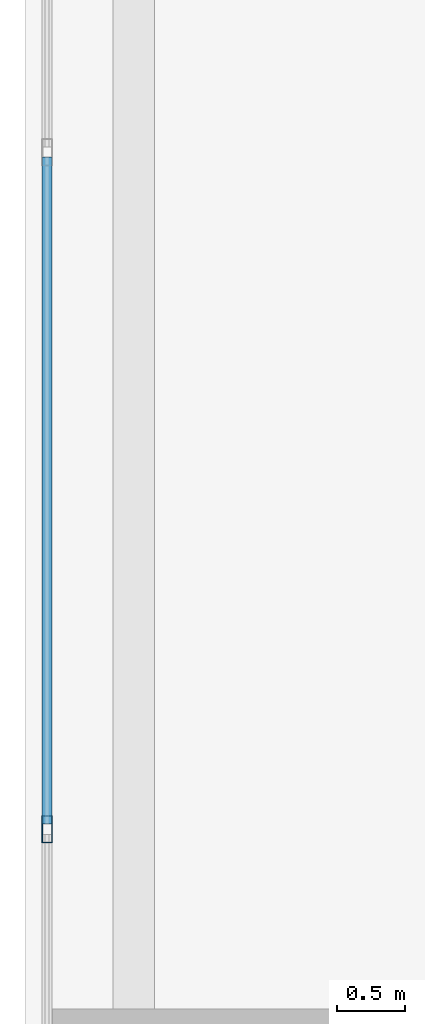
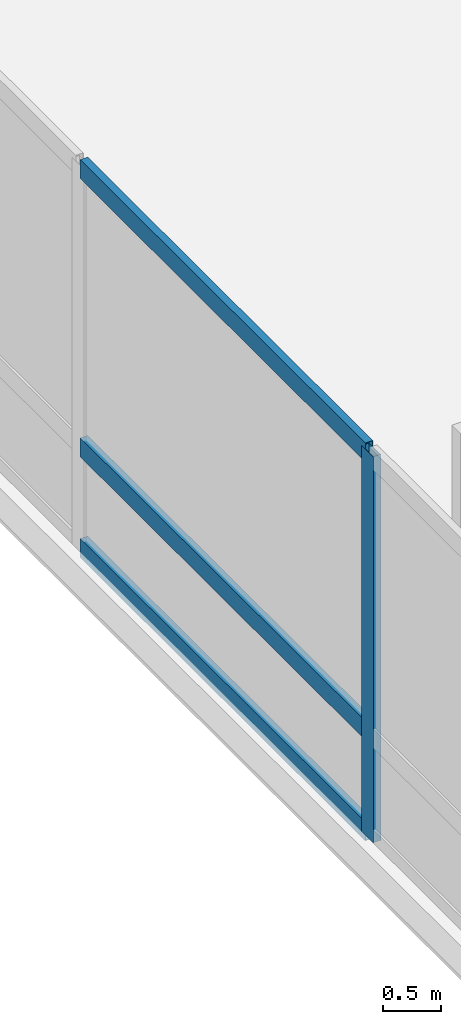
# One storey, part 4 of 26: 4 members, 1 element without a shape of its own.
"""IFC4 building model written with IfcOpenShell, lengths in metres."""

from ifc_helpers import new_model, si_unit, direction, frame, origin, origin_2d, place, context, subcontext, project, spatial, hollow_rectangle, extrude, material, layer, layer_set, material_profile, profile_set, type_object, element, aggregate, save


model = new_model("IFC4")

# Units and contexts
model_context = context("Model", 3, precision=1e-05, world=origin(), true_north=direction((0.0, 1.0)))
body_context = subcontext(model_context, "Body", "Model", "MODEL_VIEW")
ifc_project = project(units=[si_unit("LENGTHUNIT", "METRE"), si_unit("AREAUNIT", "SQUARE_METRE"), si_unit("VOLUMEUNIT", "CUBIC_METRE"), si_unit("PLANEANGLEUNIT", "RADIAN"), si_unit("MASSUNIT", "GRAM", prefix="KILO")], contexts=[model_context])

# Site, building, storey
site_placement = place(None, origin())
site = spatial("IfcSite", under=ifc_project, at=site_placement, CompositionType="ELEMENT")
building_placement = place(site_placement, origin())
building = spatial("IfcBuilding", under=site, at=building_placement, Name="Varnelok Gate Tower", CompositionType="ELEMENT")
storey_placement = place(building_placement, origin())
storey = spatial("IfcBuildingStorey", under=building, at=storey_placement, Name="L00", CompositionType="ELEMENT", Elevation=0.0)

# Curtain wall, members
ifc_material = material(Name="Anodized Aluminum Alloy 6063-T6", Category="aluminium")
ifc_layer = layer(ifc_material, 0.179931640625)
ifc_layer_set = layer_set([ifc_layer], Name="Anodized Aluminum Alloy 6063-T6")
curtain_wall_type = type_object("IfcCurtainWallType", Name="CW1-ARCH-PORTAL", PredefinedType="USERDEFINED", material=ifc_layer_set)
curtain_wall_placement = place(storey_placement, origin())
curtain_wall = element("IfcCurtainWall", 1, at=curtain_wall_placement, inside=storey, type_object=curtain_wall_type, Name="L00 Podium Portal Curtain Wall W", ObjectType="UNITISED CURTAIN WALL", PredefinedType="USERDEFINED")
ifc_material_profile_1 = material_profile(ifc_material, hollow_rectangle(XDim=0.074951171875, YDim=0.199951171875, WallThickness=0.00390625, at=origin_2d()), Name="ALU200X75X4")
ifc_profile_set_1 = profile_set([ifc_material_profile_1], Name="Anodized Aluminum Alloy 6063-T6")
member_type_1 = type_object("IfcMemberType", Name="CW-MULL-200", PredefinedType="MULLION", material=ifc_profile_set_1)
member_1_placement = place(storey_placement, frame((0.159912109375, 20.199951171875, 0.0), z_axis=(0.0, 0.0, 1.0), x_axis=(-1.0, 0.0, 0.0)))
member_1 = element("IfcMember", 2, at=member_1_placement, type_object=member_type_1, Name="CW1 mullion 2", PredefinedType="MULLION", context=body_context, shape_type="SweptSolid", body=[
    extrude(hollow_rectangle(XDim=0.074951171875, YDim=0.199951171875, WallThickness=0.00390625, at=origin_2d()), origin(), (0.0, 0.0, 1.0), 4.070068359375),
])
ifc_material_profile_2 = material_profile(ifc_material, hollow_rectangle(XDim=0.074951171875, YDim=0.199951171875, WallThickness=0.00390625, at=origin_2d()), Name="ALU200X75X4")
ifc_profile_set_2 = profile_set([ifc_material_profile_2], Name="Anodized Aluminum Alloy 6063-T6")
member_type_2 = type_object("IfcMemberType", Name="CW-TRAN-200", PredefinedType="USERDEFINED", material=ifc_profile_set_2)
member_2_placement = place(storey_placement, frame((0.159912109375, 20.237548828125, 0.03759765625), z_axis=(0.0, 1.0, 0.0), x_axis=(-1.0, 0.0, 0.0)))
member_2 = element("IfcMember", 3, at=member_2_placement, type_object=member_type_2, Name="CW1 transom 2.1", ObjectType="TRANSOM", PredefinedType="USERDEFINED", context=body_context, shape_type="SweptSolid", body=[
    extrude(hollow_rectangle(XDim=0.074951171875, YDim=0.199951171875, WallThickness=0.00390625, at=origin_2d()), origin(), (0.0, 0.0, 1.0), 4.925048828125),
])
member_3_placement = place(storey_placement, frame((0.159912109375, 20.237548828125, 1.10009765625), z_axis=(0.0, 1.0, 0.0), x_axis=(-1.0, 0.0, 0.0)))
member_3 = element("IfcMember", 4, at=member_3_placement, type_object=member_type_2, Name="CW1 transom 2.2", ObjectType="TRANSOM", PredefinedType="USERDEFINED", context=body_context, shape_type="SweptSolid", body=[
    extrude(hollow_rectangle(XDim=0.074951171875, YDim=0.199951171875, WallThickness=0.00390625, at=origin_2d()), origin(), (0.0, 0.0, 1.0), 4.925048828125),
])
member_4_placement = place(storey_placement, frame((0.159912109375, 20.237548828125, 4.032470703125), z_axis=(0.0, 1.0, 0.0), x_axis=(-1.0, 0.0, 0.0)))
member_4 = element("IfcMember", 5, at=member_4_placement, type_object=member_type_2, Name="CW1 transom 2.3", ObjectType="TRANSOM", PredefinedType="USERDEFINED", context=body_context, shape_type="SweptSolid", body=[
    extrude(hollow_rectangle(XDim=0.074951171875, YDim=0.199951171875, WallThickness=0.00390625, at=origin_2d()), origin(), (0.0, 0.0, 1.0), 4.925048828125),
])
aggregate(curtain_wall, [member_1, member_2, member_3, member_4])

save(model, "model.ifc")
